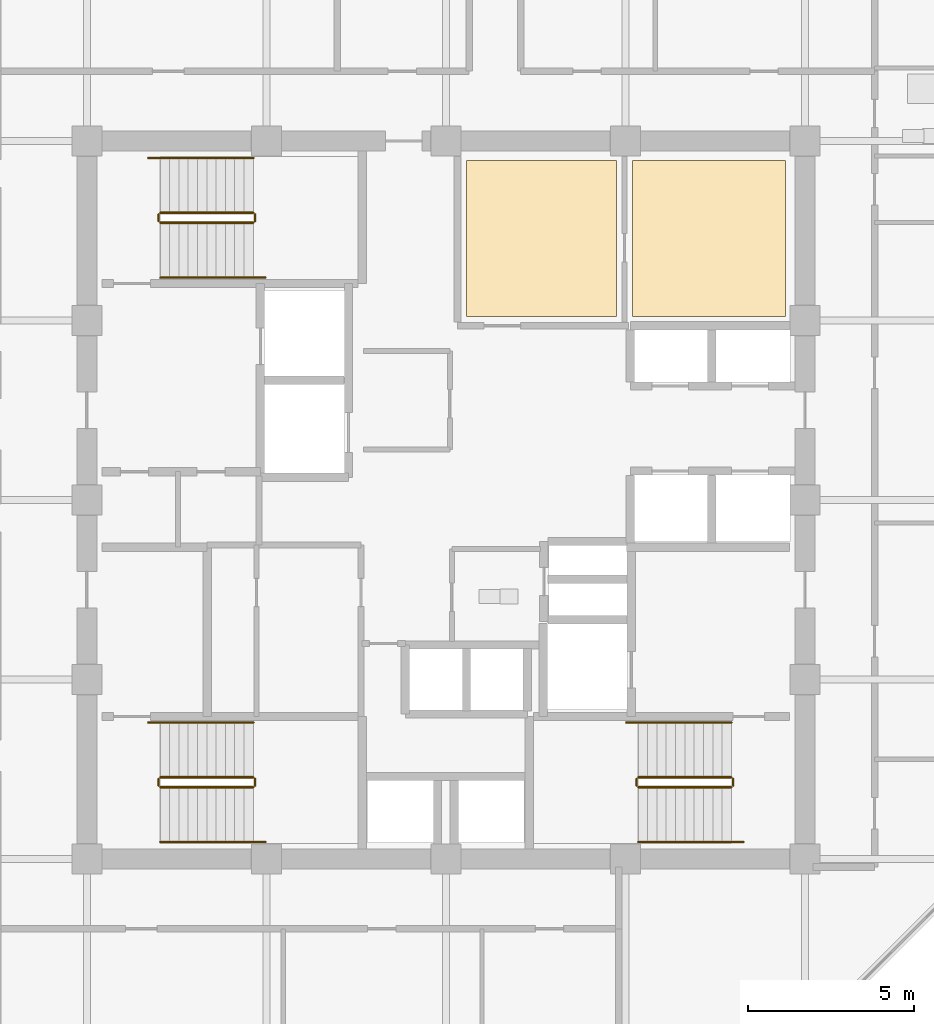
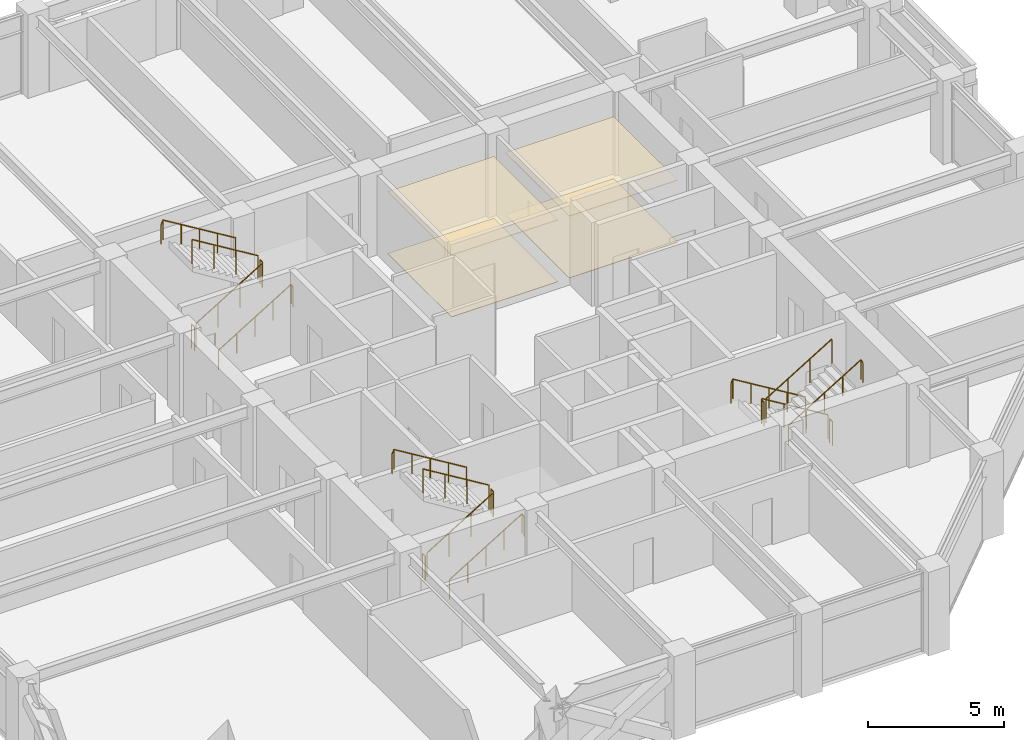
# One storey, part 30 of 32: 18 railings, 4 coverings.
"""IFC4 building model written with IfcOpenShell, lengths in metres."""

from ifc_helpers import new_model, si_unit, direction, frame, origin, origin_2d, place, context, subcontext, project, spatial, polyline, circle, outline, extrude, material, layer, layer_set, type_object, element, save


model = new_model("IFC4")

# Units and contexts
model_context = context("Model", 3, precision=1e-05, world=origin(), true_north=direction((0.0, 1.0)))
body_context = subcontext(model_context, "Body", "Model", "MODEL_VIEW")
ifc_project = project(units=[si_unit("LENGTHUNIT", "METRE"), si_unit("AREAUNIT", "SQUARE_METRE"), si_unit("VOLUMEUNIT", "CUBIC_METRE"), si_unit("PLANEANGLEUNIT", "RADIAN"), si_unit("MASSUNIT", "GRAM", prefix="KILO")], contexts=[model_context])

# Site, building, storey
site_placement = place(None, origin())
site = spatial("IfcSite", under=ifc_project, at=site_placement, CompositionType="ELEMENT")
building_placement = place(site_placement, origin())
building = spatial("IfcBuilding", under=site, at=building_placement, Name="Surkhivell Harbour Commons", CompositionType="ELEMENT")
storey_placement = place(building_placement, frame((0.0, 0.0, 189.75)))
storey = spatial("IfcBuildingStorey", under=building, at=storey_placement, Name="L49", CompositionType="ELEMENT", Elevation=189.75)

# Coverings
ifc_material_1 = material(Name="Perforated acoustic mineral-fibre ceiling tile", Category="other")
ifc_layer_1 = layer(ifc_material_1, 0.02490234375)
ifc_layer_set_1 = layer_set([ifc_layer_1], Name="Perforated acoustic mineral-fibre ceiling tile")
covering_type_1 = type_object("IfcCoveringType", Name="COV-CEIL-AC", PredefinedType="CEILING", material=ifc_layer_set_1)
covering_1_placement = place(storey_placement, frame((0.0, 0.0, 2.77490234375)))
element("IfcCovering", 1, at=covering_1_placement, inside=storey, type_object=covering_type_1, Name="L49 Suspended Acoustic Ceiling 1", PredefinedType="CEILING", context=body_context, shape_type="SweptSolid", body=[
    extrude(outline(polyline([(0.6201171875, 5.52001953125), (5.1298828125, 5.52001953125), (5.1298828125, 10.219970703125), (0.6201171875, 10.219970703125), (0.6201171875, 5.52001953125)])), origin(), (0.0, 0.0, 1.0), 0.025146484375),
])
ifc_material_2 = material(Name="Moisture-resistant gypsum acoustic ceiling board", Category="other")
ifc_layer_2 = layer(ifc_material_2, 0.030029296875)
ifc_layer_set_2 = layer_set([ifc_layer_2], Name="Moisture-resistant gypsum acoustic ceiling board")
covering_type_2 = type_object("IfcCoveringType", Name="COV-CEIL-GYP", PredefinedType="CEILING", material=ifc_layer_set_2)
covering_2_placement = place(storey_placement, frame((0.0, 0.0, 2.77001953125)))
element("IfcCovering", 2, at=covering_2_placement, inside=storey, type_object=covering_type_2, Name="L49 Suspended Acoustic Ceiling 2", PredefinedType="CEILING", context=body_context, shape_type="SweptSolid", body=[
    extrude(outline(polyline([(5.6201171875, 5.52001953125), (10.219970703125, 5.52001953125), (10.219970703125, 10.219970703125), (5.6201171875, 10.219970703125), (5.6201171875, 5.52001953125)])), origin(), (0.0, 0.0, 1.0), 0.030029296875),
])
ifc_material_3 = material(Name="Engineered acoustic oak timber flooring", Category="wood")
ifc_layer_3 = layer(ifc_material_3, 0.02001953125)
ifc_layer_set_3 = layer_set([ifc_layer_3], Name="Engineered acoustic oak timber flooring")
covering_type_3 = type_object("IfcCoveringType", Name="COV-FLR-TIM", PredefinedType="FLOORING", material=ifc_layer_set_3)
covering_3_placement = place(storey_placement, origin())
element("IfcCovering", 3, at=covering_3_placement, inside=storey, type_object=covering_type_3, Name="L49 Interior Floor Finish 1", PredefinedType="FLOORING", context=body_context, shape_type="SweptSolid", body=[
    extrude(outline(polyline([(0.6201171875, 5.52001953125), (5.1298828125, 5.52001953125), (5.1298828125, 10.219970703125), (0.6201171875, 10.219970703125), (0.6201171875, 5.52001953125)])), origin(), (0.0, 0.0, 1.0), 0.02001953125),
])
covering_4_placement = place(storey_placement, origin())
element("IfcCovering", 4, at=covering_4_placement, inside=storey, type_object=covering_type_3, Name="L49 Interior Floor Finish 2", PredefinedType="FLOORING", context=body_context, shape_type="SweptSolid", body=[
    extrude(outline(polyline([(5.6201171875, 5.52001953125), (10.219970703125, 5.52001953125), (10.219970703125, 10.219970703125), (5.6201171875, 10.219970703125), (5.6201171875, 5.52001953125)])), origin(), (0.0, 0.0, 1.0), 0.02001953125),
])

# Railings
ifc_material_4 = material(Name="Galvanised and painted steel S355 guard rail", Category="steel")
railing_type_1 = type_object("IfcRailingType", Name="RAL-ST-GRD1100", PredefinedType="GUARDRAIL", material=ifc_material_4)
railing_1_placement = place(storey_placement, frame((-8.590087890625, 8.340087890625, 0.17041015625)))
element("IfcRailing", 5, at=railing_1_placement, inside=storey, type_object=railing_type_1, Name="L49 ST1 stair guard 1", PredefinedType="GUARDRAIL", context=body_context, shape_type="SweptSolid", body=[
    extrude(circle(Radius=0.02392578125, at=origin_2d()), frame((0.0, 0.0, 1.076171875), z_axis=(0.854169791009, 0.0, 0.51999420009), x_axis=(0.0, 1.0, 0.0)), (0.0, 0.0, 1.0), 3.278076171875),
    extrude(circle(Radius=0.02099609375, at=origin_2d()), origin(), (0.0, 0.0, 1.0), 1.052001953125),
    extrude(circle(Radius=0.02099609375, at=origin_2d()), frame((0.933349609375, 0.0, 0.568115234375)), (0.0, 0.0, 1.0), 1.052001953125),
    extrude(circle(Radius=0.02099609375, at=origin_2d()), frame((1.86669921875, 0.0, 1.136474609375)), (0.0, 0.0, 1.0), 1.052001953125),
    extrude(circle(Radius=0.02099609375, at=origin_2d()), frame((2.800048828125, 0.0, 1.70458984375)), (0.0, 0.0, 1.0), 1.052001953125),
])
railing_2_placement = place(storey_placement, frame((-5.739990234375, 8.389892578125, 1.875)))
element("IfcRailing", 6, at=railing_2_placement, inside=storey, type_object=railing_type_1, Name="L49 ST1 stair guard 2", PredefinedType="GUARDRAIL", context=body_context, shape_type="SweptSolid", body=[
    extrude(circle(Radius=0.02392578125, at=origin_2d()), frame((0.0, 0.0, 1.076171875), z_axis=(0.0, 1.0, 0.0), x_axis=(-1.0, 0.0, 0.0)), (0.0, 0.0, 1.0), 0.2001953125),
    extrude(circle(Radius=0.02099609375, at=origin_2d()), origin(), (0.0, 0.0, 1.0), 1.052001953125),
    extrude(circle(Radius=0.02099609375, at=origin_2d()), frame((0.0, 0.2001953125, 0.0)), (0.0, 0.0, 1.0), 1.052001953125),
])
railing_3_placement = place(storey_placement, frame((-5.7900390625, 8.639892578125, 2.04541015625)))
element("IfcRailing", 7, at=railing_3_placement, inside=storey, type_object=railing_type_1, Name="L49 ST1 stair guard 3", PredefinedType="GUARDRAIL", context=body_context, shape_type="SweptSolid", body=[
    extrude(circle(Radius=0.02392578125, at=origin_2d()), frame((0.0, 0.0, 1.076171875), z_axis=(-0.854169791009, 0.0, 0.51999420009), x_axis=(0.0, -1.0, 0.0)), (0.0, 0.0, 1.0), 3.278076171875),
    extrude(circle(Radius=0.02099609375, at=origin_2d()), origin(), (0.0, 0.0, 1.0), 1.052001953125),
    extrude(circle(Radius=0.02099609375, at=origin_2d()), frame((-0.933349609375, 0.0, 0.568115234375)), (0.0, 0.0, 1.0), 1.052001953125),
    extrude(circle(Radius=0.02099609375, at=origin_2d()), frame((-1.86669921875, 0.0, 1.136474609375)), (0.0, 0.0, 1.0), 1.052001953125),
    extrude(circle(Radius=0.02099609375, at=origin_2d()), frame((-2.800048828125, 0.0, 1.70458984375)), (0.0, 0.0, 1.0), 1.052001953125),
])
railing_4_placement = place(storey_placement, frame((-8.639892578125, 8.389892578125, 0.0)))
element("IfcRailing", 8, at=railing_4_placement, inside=storey, type_object=railing_type_1, Name="L49 ST1 stair guard 4", PredefinedType="GUARDRAIL", context=body_context, shape_type="SweptSolid", body=[
    extrude(circle(Radius=0.02392578125, at=origin_2d()), frame((0.0, 0.0, 1.076171875), z_axis=(0.0, 1.0, 0.0), x_axis=(-1.0, 0.0, 0.0)), (0.0, 0.0, 1.0), 0.2001953125),
    extrude(circle(Radius=0.02099609375, at=origin_2d()), origin(), (0.0, 0.0, 1.0), 1.052001953125),
    extrude(circle(Radius=0.02099609375, at=origin_2d()), frame((0.0, 0.2001953125, 0.0)), (0.0, 0.0, 1.0), 1.052001953125),
])
railing_5_placement = place(storey_placement, frame((8.590087890625, -8.340087890625, 0.17041015625)))
element("IfcRailing", 9, at=railing_5_placement, inside=storey, type_object=railing_type_1, Name="L49 ST2 stair guard 1", PredefinedType="GUARDRAIL", context=body_context, shape_type="SweptSolid", body=[
    extrude(circle(Radius=0.02392578125, at=origin_2d()), frame((0.0, 0.0, 1.076171875), z_axis=(-0.854169791009, 0.0, 0.51999420009), x_axis=(0.0, -1.0, 0.0)), (0.0, 0.0, 1.0), 3.278076171875),
    extrude(circle(Radius=0.02099609375, at=origin_2d()), origin(), (0.0, 0.0, 1.0), 1.052001953125),
    extrude(circle(Radius=0.02099609375, at=origin_2d()), frame((-0.933349609375, 0.0, 0.568115234375)), (0.0, 0.0, 1.0), 1.052001953125),
    extrude(circle(Radius=0.02099609375, at=origin_2d()), frame((-1.86669921875, 0.0, 1.136474609375)), (0.0, 0.0, 1.0), 1.052001953125),
    extrude(circle(Radius=0.02099609375, at=origin_2d()), frame((-2.800048828125, 0.0, 1.70458984375)), (0.0, 0.0, 1.0), 1.052001953125),
])
railing_6_placement = place(storey_placement, frame((5.739990234375, -8.389892578125, 1.875)))
element("IfcRailing", 10, at=railing_6_placement, inside=storey, type_object=railing_type_1, Name="L49 ST2 stair guard 2", PredefinedType="GUARDRAIL", context=body_context, shape_type="SweptSolid", body=[
    extrude(circle(Radius=0.02392578125, at=origin_2d()), frame((0.0, 0.0, 1.076171875), z_axis=(0.0, -1.0, 0.0), x_axis=(1.0, 0.0, 0.0)), (0.0, 0.0, 1.0), 0.2001953125),
    extrude(circle(Radius=0.02099609375, at=origin_2d()), origin(), (0.0, 0.0, 1.0), 1.052001953125),
    extrude(circle(Radius=0.02099609375, at=origin_2d()), frame((0.0, -0.2001953125, 0.0)), (0.0, 0.0, 1.0), 1.052001953125),
])
railing_7_placement = place(storey_placement, frame((5.7900390625, -8.639892578125, 2.04541015625)))
element("IfcRailing", 11, at=railing_7_placement, inside=storey, type_object=railing_type_1, Name="L49 ST2 stair guard 3", PredefinedType="GUARDRAIL", context=body_context, shape_type="SweptSolid", body=[
    extrude(circle(Radius=0.02392578125, at=origin_2d()), frame((0.0, 0.0, 1.076171875), z_axis=(0.854169791009, 0.0, 0.51999420009), x_axis=(0.0, 1.0, 0.0)), (0.0, 0.0, 1.0), 3.278076171875),
    extrude(circle(Radius=0.02099609375, at=origin_2d()), origin(), (0.0, 0.0, 1.0), 1.052001953125),
    extrude(circle(Radius=0.02099609375, at=origin_2d()), frame((0.933349609375, 0.0, 0.568115234375)), (0.0, 0.0, 1.0), 1.052001953125),
    extrude(circle(Radius=0.02099609375, at=origin_2d()), frame((1.86669921875, 0.0, 1.136474609375)), (0.0, 0.0, 1.0), 1.052001953125),
    extrude(circle(Radius=0.02099609375, at=origin_2d()), frame((2.800048828125, 0.0, 1.70458984375)), (0.0, 0.0, 1.0), 1.052001953125),
])
railing_8_placement = place(storey_placement, frame((8.639892578125, -8.389892578125, 0.0)))
element("IfcRailing", 12, at=railing_8_placement, inside=storey, type_object=railing_type_1, Name="L49 ST2 stair guard 4", PredefinedType="GUARDRAIL", context=body_context, shape_type="SweptSolid", body=[
    extrude(circle(Radius=0.02392578125, at=origin_2d()), frame((0.0, 0.0, 1.076171875), z_axis=(0.0, -1.0, 0.0), x_axis=(1.0, 0.0, 0.0)), (0.0, 0.0, 1.0), 0.2001953125),
    extrude(circle(Radius=0.02099609375, at=origin_2d()), origin(), (0.0, 0.0, 1.0), 1.052001953125),
    extrude(circle(Radius=0.02099609375, at=origin_2d()), frame((0.0, -0.2001953125, 0.0)), (0.0, 0.0, 1.0), 1.052001953125),
])
railing_9_placement = place(storey_placement, frame((-8.590087890625, -8.639892578125, 0.17041015625)))
element("IfcRailing", 13, at=railing_9_placement, inside=storey, type_object=railing_type_1, Name="L49 ST3 stair guard 1", PredefinedType="GUARDRAIL", context=body_context, shape_type="SweptSolid", body=[
    extrude(circle(Radius=0.02392578125, at=origin_2d()), frame((0.0, 0.0, 1.076171875), z_axis=(0.854169791009, 0.0, 0.51999420009), x_axis=(0.0, 1.0, 0.0)), (0.0, 0.0, 1.0), 3.278076171875),
    extrude(circle(Radius=0.02099609375, at=origin_2d()), origin(), (0.0, 0.0, 1.0), 1.052001953125),
    extrude(circle(Radius=0.02099609375, at=origin_2d()), frame((0.933349609375, 0.0, 0.568115234375)), (0.0, 0.0, 1.0), 1.052001953125),
    extrude(circle(Radius=0.02099609375, at=origin_2d()), frame((1.86669921875, 0.0, 1.136474609375)), (0.0, 0.0, 1.0), 1.052001953125),
    extrude(circle(Radius=0.02099609375, at=origin_2d()), frame((2.800048828125, 0.0, 1.70458984375)), (0.0, 0.0, 1.0), 1.052001953125),
])
railing_10_placement = place(storey_placement, frame((-5.739990234375, -8.590087890625, 1.875)))
element("IfcRailing", 14, at=railing_10_placement, inside=storey, type_object=railing_type_1, Name="L49 ST3 stair guard 2", PredefinedType="GUARDRAIL", context=body_context, shape_type="SweptSolid", body=[
    extrude(circle(Radius=0.02392578125, at=origin_2d()), frame((0.0, 0.0, 1.076171875), z_axis=(0.0, 1.0, 0.0), x_axis=(-1.0, 0.0, 0.0)), (0.0, 0.0, 1.0), 0.2001953125),
    extrude(circle(Radius=0.02099609375, at=origin_2d()), origin(), (0.0, 0.0, 1.0), 1.052001953125),
    extrude(circle(Radius=0.02099609375, at=origin_2d()), frame((0.0, 0.2001953125, 0.0)), (0.0, 0.0, 1.0), 1.052001953125),
])
railing_11_placement = place(storey_placement, frame((-5.7900390625, -8.340087890625, 2.04541015625)))
element("IfcRailing", 15, at=railing_11_placement, inside=storey, type_object=railing_type_1, Name="L49 ST3 stair guard 3", PredefinedType="GUARDRAIL", context=body_context, shape_type="SweptSolid", body=[
    extrude(circle(Radius=0.02392578125, at=origin_2d()), frame((0.0, 0.0, 1.076171875), z_axis=(-0.854169791009, 0.0, 0.51999420009), x_axis=(0.0, -1.0, 0.0)), (0.0, 0.0, 1.0), 3.278076171875),
    extrude(circle(Radius=0.02099609375, at=origin_2d()), origin(), (0.0, 0.0, 1.0), 1.052001953125),
    extrude(circle(Radius=0.02099609375, at=origin_2d()), frame((-0.933349609375, 0.0, 0.568115234375)), (0.0, 0.0, 1.0), 1.052001953125),
    extrude(circle(Radius=0.02099609375, at=origin_2d()), frame((-1.86669921875, 0.0, 1.136474609375)), (0.0, 0.0, 1.0), 1.052001953125),
    extrude(circle(Radius=0.02099609375, at=origin_2d()), frame((-2.800048828125, 0.0, 1.70458984375)), (0.0, 0.0, 1.0), 1.052001953125),
])
railing_12_placement = place(storey_placement, frame((-8.639892578125, -8.590087890625, 0.0)))
element("IfcRailing", 16, at=railing_12_placement, inside=storey, type_object=railing_type_1, Name="L49 ST3 stair guard 4", PredefinedType="GUARDRAIL", context=body_context, shape_type="SweptSolid", body=[
    extrude(circle(Radius=0.02392578125, at=origin_2d()), frame((0.0, 0.0, 1.076171875), z_axis=(0.0, 1.0, 0.0), x_axis=(-1.0, 0.0, 0.0)), (0.0, 0.0, 1.0), 0.2001953125),
    extrude(circle(Radius=0.02099609375, at=origin_2d()), origin(), (0.0, 0.0, 1.0), 1.052001953125),
    extrude(circle(Radius=0.02099609375, at=origin_2d()), frame((0.0, 0.2001953125, 0.0)), (0.0, 0.0, 1.0), 1.052001953125),
])
ifc_material_5 = material(Name="Brushed stainless steel S355 handrail", Category="steel")
railing_type_2 = type_object("IfcRailingType", Name="RAL-ST-HND900", PredefinedType="HANDRAIL", material=ifc_material_5)
railing_13_placement = place(storey_placement, frame((-8.590087890625, 6.68994140625, 0.17041015625)))
element("IfcRailing", 17, at=railing_13_placement, inside=storey, type_object=railing_type_2, Name="L49 ST1 stair handrail 1", PredefinedType="HANDRAIL", context=body_context, shape_type="SweptSolid", body=[
    extrude(circle(Radius=0.02392578125, at=origin_2d()), frame((0.0, 0.0, 0.8759765625), z_axis=(0.854177636135, 0.0, 0.519981313056), x_axis=(0.0, 1.0, 0.0)), (0.0, 0.0, 1.0), 3.60595703125),
    extrude(circle(Radius=0.02392578125, at=origin_2d()), frame((3.080078125, 0.0, 2.7509765625), z_axis=(0.425297416671, 0.0, -0.905053648892), x_axis=(0.0, 1.0, 0.0)), (0.0, 0.0, 1.0), 0.188232421875),
    extrude(circle(Radius=0.02099609375, at=origin_2d()), origin(), (0.0, 0.0, 1.0), 0.851806640625),
    extrude(circle(Radius=0.02099609375, at=origin_2d()), frame((0.77001953125, 0.0, 0.46875)), (0.0, 0.0, 1.0), 0.851806640625),
    extrude(circle(Radius=0.02099609375, at=origin_2d()), frame((1.5400390625, 0.0, 0.9375)), (0.0, 0.0, 1.0), 0.851806640625),
    extrude(circle(Radius=0.02099609375, at=origin_2d()), frame((2.31005859375, 0.0, 1.40625)), (0.0, 0.0, 1.0), 0.851806640625),
    extrude(circle(Radius=0.02099609375, at=origin_2d()), frame((3.080078125, 0.0, 1.875)), (0.0, 0.0, 1.0), 0.851806640625),
    extrude(circle(Radius=0.02099609375, at=origin_2d()), frame((3.16015625, 0.0, 1.70458984375)), (0.0, 0.0, 1.0), 0.851806640625),
])
railing_14_placement = place(storey_placement, frame((-5.7900390625, 10.2900390625, 2.04541015625)))
element("IfcRailing", 18, at=railing_14_placement, inside=storey, type_object=railing_type_2, Name="L49 ST1 stair handrail 2", PredefinedType="HANDRAIL", context=body_context, shape_type="SweptSolid", body=[
    extrude(circle(Radius=0.02392578125, at=origin_2d()), frame((0.0, 0.0, 0.8759765625), z_axis=(-0.854177636135, 0.0, 0.519981313056), x_axis=(0.0, -1.0, 0.0)), (0.0, 0.0, 1.0), 3.60595703125),
    extrude(circle(Radius=0.02392578125, at=origin_2d()), frame((-3.080078125, 0.0, 2.7509765625), z_axis=(-0.424234432967, 0.0, -0.905552398199), x_axis=(0.0, -1.0, 0.0)), (0.0, 0.0, 1.0), 0.188232421875),
    extrude(circle(Radius=0.02099609375, at=origin_2d()), origin(), (0.0, 0.0, 1.0), 0.851806640625),
    extrude(circle(Radius=0.02099609375, at=origin_2d()), frame((-0.77001953125, 0.0, 0.46875)), (0.0, 0.0, 1.0), 0.851806640625),
    extrude(circle(Radius=0.02099609375, at=origin_2d()), frame((-1.5400390625, 0.0, 0.9375)), (0.0, 0.0, 1.0), 0.851806640625),
    extrude(circle(Radius=0.02099609375, at=origin_2d()), frame((-2.31005859375, 0.0, 1.40625)), (0.0, 0.0, 1.0), 0.851806640625),
    extrude(circle(Radius=0.02099609375, at=origin_2d()), frame((-3.080078125, 0.0, 1.875)), (0.0, 0.0, 1.0), 0.851806640625),
    extrude(circle(Radius=0.02099609375, at=origin_2d()), frame((-3.159912109375, 0.0, 1.70458984375)), (0.0, 0.0, 1.0), 0.851806640625),
])
railing_15_placement = place(storey_placement, frame((8.590087890625, -6.68994140625, 0.17041015625)))
element("IfcRailing", 19, at=railing_15_placement, inside=storey, type_object=railing_type_2, Name="L49 ST2 stair handrail 1", PredefinedType="HANDRAIL", context=body_context, shape_type="SweptSolid", body=[
    extrude(circle(Radius=0.02392578125, at=origin_2d()), frame((0.0, 0.0, 0.8759765625), z_axis=(-0.854177636135, 0.0, 0.519981313056), x_axis=(0.0, -1.0, 0.0)), (0.0, 0.0, 1.0), 3.60595703125),
    extrude(circle(Radius=0.02392578125, at=origin_2d()), frame((-3.080078125, 0.0, 2.7509765625), z_axis=(-0.425297416671, 0.0, -0.905053648892), x_axis=(0.0, -1.0, 0.0)), (0.0, 0.0, 1.0), 0.188232421875),
    extrude(circle(Radius=0.02099609375, at=origin_2d()), origin(), (0.0, 0.0, 1.0), 0.851806640625),
    extrude(circle(Radius=0.02099609375, at=origin_2d()), frame((-0.77001953125, 0.0, 0.46875)), (0.0, 0.0, 1.0), 0.851806640625),
    extrude(circle(Radius=0.02099609375, at=origin_2d()), frame((-1.5400390625, 0.0, 0.9375)), (0.0, 0.0, 1.0), 0.851806640625),
    extrude(circle(Radius=0.02099609375, at=origin_2d()), frame((-2.31005859375, 0.0, 1.40625)), (0.0, 0.0, 1.0), 0.851806640625),
    extrude(circle(Radius=0.02099609375, at=origin_2d()), frame((-3.080078125, 0.0, 1.875)), (0.0, 0.0, 1.0), 0.851806640625),
    extrude(circle(Radius=0.02099609375, at=origin_2d()), frame((-3.16015625, 0.0, 1.70458984375)), (0.0, 0.0, 1.0), 0.851806640625),
])
railing_16_placement = place(storey_placement, frame((5.7900390625, -10.2900390625, 2.04541015625)))
element("IfcRailing", 20, at=railing_16_placement, inside=storey, type_object=railing_type_2, Name="L49 ST2 stair handrail 2", PredefinedType="HANDRAIL", context=body_context, shape_type="SweptSolid", body=[
    extrude(circle(Radius=0.02392578125, at=origin_2d()), frame((0.0, 0.0, 0.8759765625), z_axis=(0.854177636135, 0.0, 0.519981313056), x_axis=(0.0, 1.0, 0.0)), (0.0, 0.0, 1.0), 3.60595703125),
    extrude(circle(Radius=0.02392578125, at=origin_2d()), frame((3.080078125, 0.0, 2.7509765625), z_axis=(0.424234432967, 0.0, -0.905552398199), x_axis=(0.0, 1.0, 0.0)), (0.0, 0.0, 1.0), 0.188232421875),
    extrude(circle(Radius=0.02099609375, at=origin_2d()), origin(), (0.0, 0.0, 1.0), 0.851806640625),
    extrude(circle(Radius=0.02099609375, at=origin_2d()), frame((0.77001953125, 0.0, 0.46875)), (0.0, 0.0, 1.0), 0.851806640625),
    extrude(circle(Radius=0.02099609375, at=origin_2d()), frame((1.5400390625, 0.0, 0.9375)), (0.0, 0.0, 1.0), 0.851806640625),
    extrude(circle(Radius=0.02099609375, at=origin_2d()), frame((2.31005859375, 0.0, 1.40625)), (0.0, 0.0, 1.0), 0.851806640625),
    extrude(circle(Radius=0.02099609375, at=origin_2d()), frame((3.080078125, 0.0, 1.875)), (0.0, 0.0, 1.0), 0.851806640625),
    extrude(circle(Radius=0.02099609375, at=origin_2d()), frame((3.159912109375, 0.0, 1.70458984375)), (0.0, 0.0, 1.0), 0.851806640625),
])
railing_17_placement = place(storey_placement, frame((-8.590087890625, -10.2900390625, 0.17041015625)))
element("IfcRailing", 21, at=railing_17_placement, inside=storey, type_object=railing_type_2, Name="L49 ST3 stair handrail 1", PredefinedType="HANDRAIL", context=body_context, shape_type="SweptSolid", body=[
    extrude(circle(Radius=0.02392578125, at=origin_2d()), frame((0.0, 0.0, 0.8759765625), z_axis=(0.854177636135, 0.0, 0.519981313056), x_axis=(0.0, 1.0, 0.0)), (0.0, 0.0, 1.0), 3.60595703125),
    extrude(circle(Radius=0.02392578125, at=origin_2d()), frame((3.080078125, 0.0, 2.7509765625), z_axis=(0.425297416671, 0.0, -0.905053648892), x_axis=(0.0, 1.0, 0.0)), (0.0, 0.0, 1.0), 0.188232421875),
    extrude(circle(Radius=0.02099609375, at=origin_2d()), origin(), (0.0, 0.0, 1.0), 0.851806640625),
    extrude(circle(Radius=0.02099609375, at=origin_2d()), frame((0.77001953125, 0.0, 0.46875)), (0.0, 0.0, 1.0), 0.851806640625),
    extrude(circle(Radius=0.02099609375, at=origin_2d()), frame((1.5400390625, 0.0, 0.9375)), (0.0, 0.0, 1.0), 0.851806640625),
    extrude(circle(Radius=0.02099609375, at=origin_2d()), frame((2.31005859375, 0.0, 1.40625)), (0.0, 0.0, 1.0), 0.851806640625),
    extrude(circle(Radius=0.02099609375, at=origin_2d()), frame((3.080078125, 0.0, 1.875)), (0.0, 0.0, 1.0), 0.851806640625),
    extrude(circle(Radius=0.02099609375, at=origin_2d()), frame((3.16015625, 0.0, 1.70458984375)), (0.0, 0.0, 1.0), 0.851806640625),
])
railing_18_placement = place(storey_placement, frame((-5.7900390625, -6.68994140625, 2.04541015625)))
element("IfcRailing", 22, at=railing_18_placement, inside=storey, type_object=railing_type_2, Name="L49 ST3 stair handrail 2", PredefinedType="HANDRAIL", context=body_context, shape_type="SweptSolid", body=[
    extrude(circle(Radius=0.02392578125, at=origin_2d()), frame((0.0, 0.0, 0.8759765625), z_axis=(-0.854177636135, 0.0, 0.519981313056), x_axis=(0.0, -1.0, 0.0)), (0.0, 0.0, 1.0), 3.60595703125),
    extrude(circle(Radius=0.02392578125, at=origin_2d()), frame((-3.080078125, 0.0, 2.7509765625), z_axis=(-0.424234432967, 0.0, -0.905552398199), x_axis=(0.0, -1.0, 0.0)), (0.0, 0.0, 1.0), 0.188232421875),
    extrude(circle(Radius=0.02099609375, at=origin_2d()), origin(), (0.0, 0.0, 1.0), 0.851806640625),
    extrude(circle(Radius=0.02099609375, at=origin_2d()), frame((-0.77001953125, 0.0, 0.46875)), (0.0, 0.0, 1.0), 0.851806640625),
    extrude(circle(Radius=0.02099609375, at=origin_2d()), frame((-1.5400390625, 0.0, 0.9375)), (0.0, 0.0, 1.0), 0.851806640625),
    extrude(circle(Radius=0.02099609375, at=origin_2d()), frame((-2.31005859375, 0.0, 1.40625)), (0.0, 0.0, 1.0), 0.851806640625),
    extrude(circle(Radius=0.02099609375, at=origin_2d()), frame((-3.080078125, 0.0, 1.875)), (0.0, 0.0, 1.0), 0.851806640625),
    extrude(circle(Radius=0.02099609375, at=origin_2d()), frame((-3.159912109375, 0.0, 1.70458984375)), (0.0, 0.0, 1.0), 0.851806640625),
])

save(model, "model.ifc")
